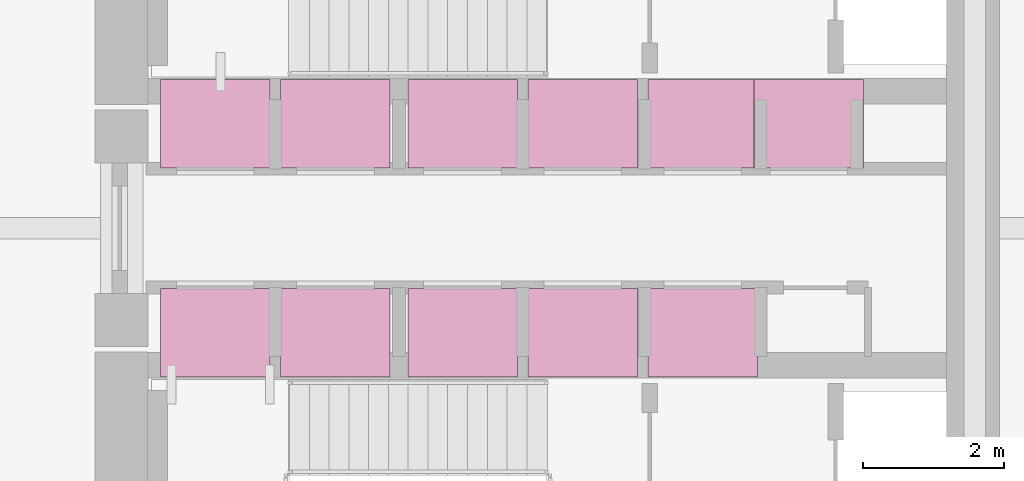
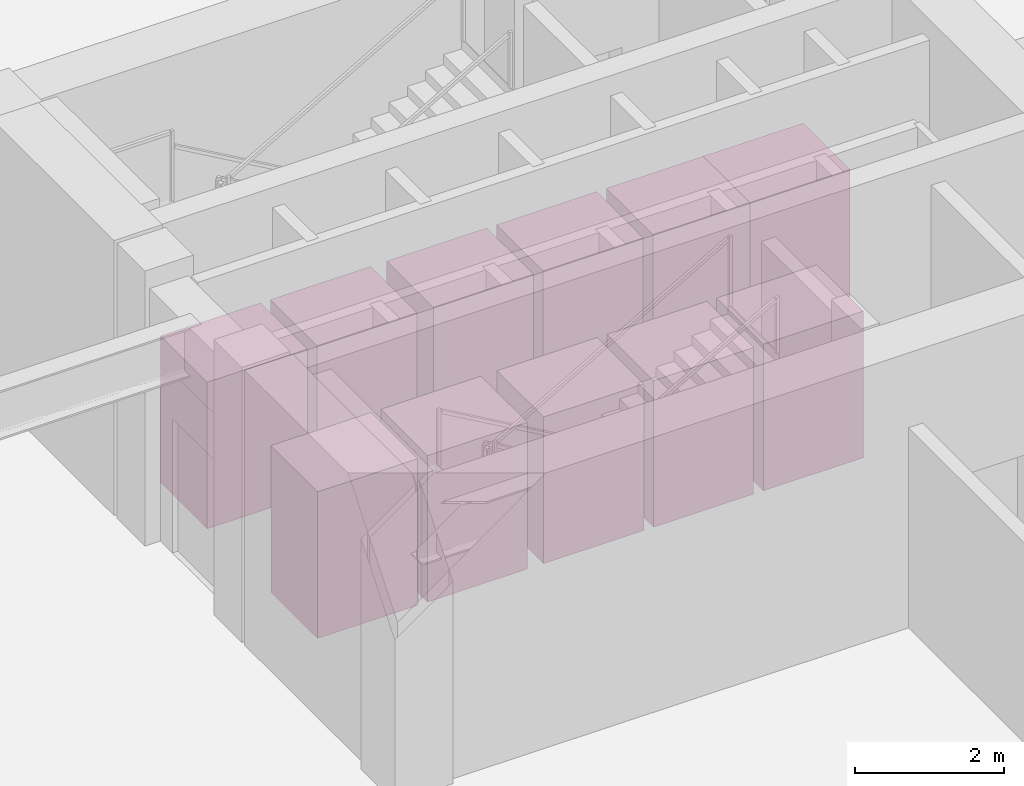
# One storey, part 18 of 18: 11 transport elements.
"""IFC4 building model written with IfcOpenShell, lengths in metres."""

from ifc_helpers import new_model, si_unit, direction, frame, origin, origin_2d, place, context, subcontext, project, spatial, rectangle, extrude, source, transform, mapped, material, type_object, element, save


model = new_model("IFC4")

# Units and contexts
model_context = context("Model", 3, precision=1e-05, world=origin(), true_north=direction((0.0, 1.0)))
body_context = subcontext(model_context, "Body", "Model", "MODEL_VIEW")
ifc_project = project(units=[si_unit("LENGTHUNIT", "METRE"), si_unit("AREAUNIT", "SQUARE_METRE"), si_unit("VOLUMEUNIT", "CUBIC_METRE"), si_unit("PLANEANGLEUNIT", "RADIAN"), si_unit("MASSUNIT", "GRAM", prefix="KILO")], contexts=[model_context])

# Site, building, storey
site_placement = place(None, origin())
site = spatial("IfcSite", under=ifc_project, at=site_placement, CompositionType="ELEMENT")
building_placement = place(site_placement, origin())
building = spatial("IfcBuilding", under=site, at=building_placement, Name="Yunling Apex Tower", CompositionType="ELEMENT")
storey_placement = place(building_placement, origin())
storey = spatial("IfcBuildingStorey", under=building, at=storey_placement, Name="L01", CompositionType="ELEMENT", Elevation=0.0)

# Transport elements
ifc_material = material(Name="Silver anodised aluminium", Category="aluminium")
transport_element_type = type_object("IfcTransportElementType", Name="LF-PAS-1", PredefinedType="ELEVATOR", material=ifc_material)
shared_shape = source(origin(), body_context, "Body", "SweptSolid", [
    extrude(rectangle(XDim=1.550048828125, YDim=1.25, at=origin_2d()), origin(), (0.0, 0.0, 1.0), 2.39990234375),
])
for number, where, z_axis, x_axis, name in (
    (1, (-4.699951171875, 1.47998046875, 0.0), (0.0, 0.0, 1.0), (1.0, 0.0, 0.0), "PL-L1 Lift"),
    (2, (-3.0, 1.47998046875, 0.0), (0.0, 0.0, 1.0), (1.0, 0.0, 0.0), "PL-L2 Lift"),
    (3, (-4.699951171875, -1.47998046875, 0.0), (0.0, 0.0, 1.0), (1.0, 0.0, 0.0), "PL-L3 Lift"),
    (4, (-3.0, -1.47998046875, 0.0), (0.0, 0.0, 1.0), (1.0, 0.0, 0.0), "PL-L4 Lift"),
    (5, (-1.199951171875, 1.47998046875, 0.0), (0.0, 0.0, 1.0), (1.0, 0.0, 0.0), "PL-M1 Lift"),
    (6, (0.5, 1.47998046875, 0.0), (0.0, 0.0, 1.0), (1.0, 0.0, 0.0), "PL-M2 Lift"),
    (7, (-1.199951171875, -1.47998046875, 0.0), (0.0, 0.0, 1.0), (1.0, 0.0, 0.0), "PL-M3 Lift"),
    (8, (0.5, -1.47998046875, 0.0), (0.0, 0.0, 1.0), (1.0, 0.0, 0.0), "PL-M4 Lift"),
    (9, (2.199951171875, 1.47998046875, 0.0), (0.0, 0.0, 1.0), (1.0, 0.0, 0.0), "PL-H1 Lift"),
    (10, (2.199951171875, -1.47998046875, 0.0), (0.0, 0.0, 1.0), (1.0, 0.0, 0.0), "PL-H2 Lift"),
    (11, (3.699951171875, 1.47998046875, 0.0), (0.0, 0.0, 1.0), (1.0, 0.0, 0.0), "PL-H3 Lift"),
):
    element("IfcTransportElement", number, at=place(storey_placement, frame(where, z_axis=z_axis, x_axis=x_axis)), inside=storey, type_object=transport_element_type, Name=name, PredefinedType="ELEVATOR", context=body_context, shape_type="MappedRepresentation", body=[
        mapped(shared_shape, transform((0.0, 0.0, 0.0), scale=1.0)),
    ])

save(model, "model.ifc")
